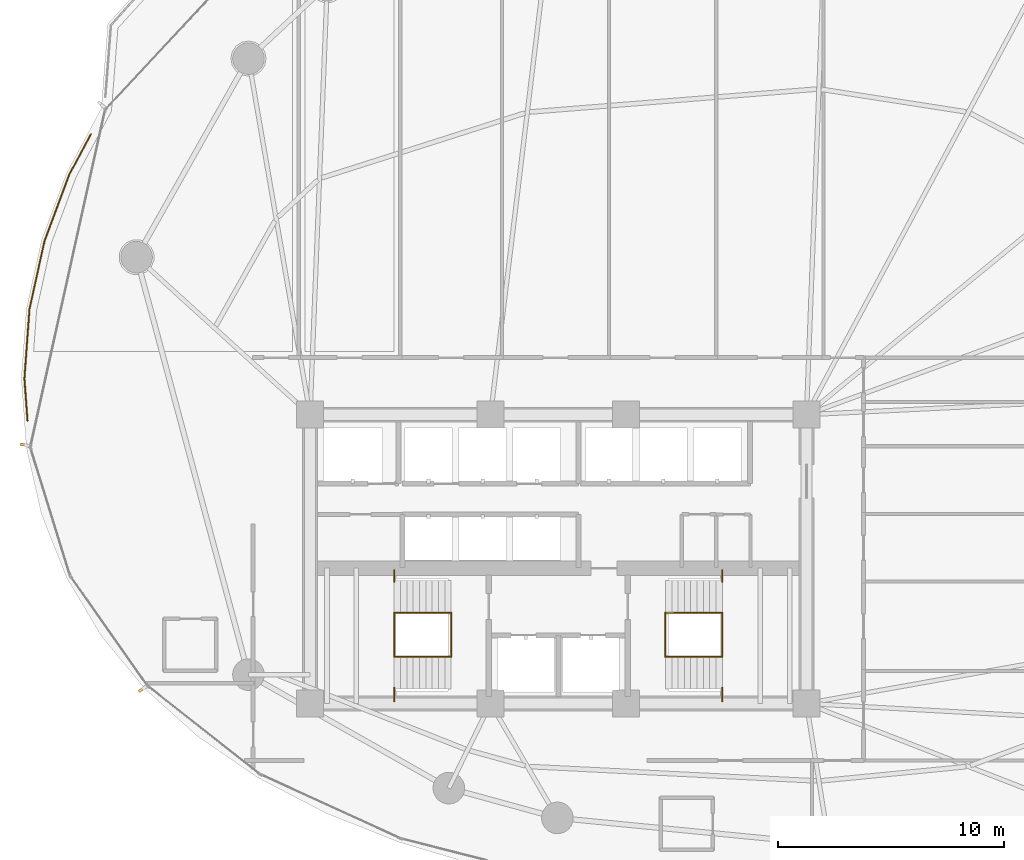
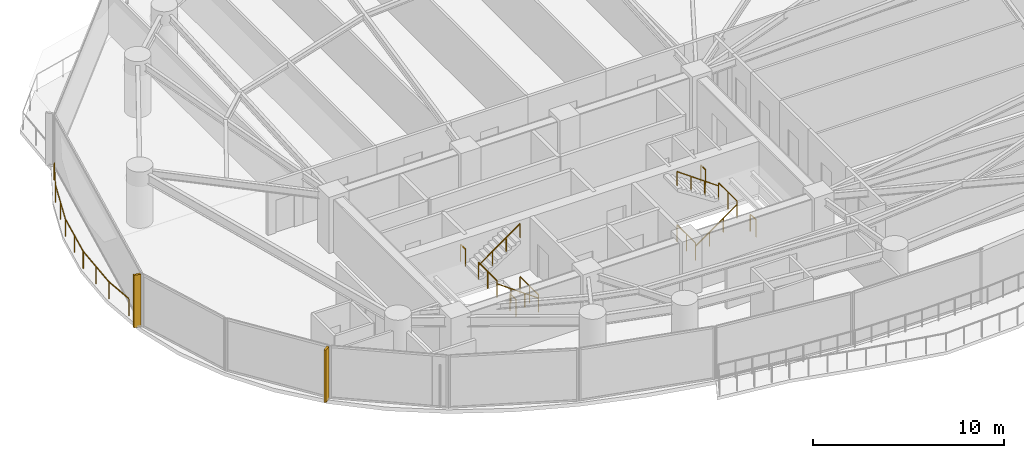
# One storey, part 30 of 33: 13 railings, 2 shading devices.
"""IFC4 building model written with IfcOpenShell, lengths in metres."""

from ifc_helpers import new_model, si_unit, direction, frame, origin, origin_2d, place, context, subcontext, project, spatial, rectangle, extrude, material, type_object, element, save


model = new_model("IFC4")

# Units and contexts
model_context = context("Model", 3, precision=1e-05, world=origin(), true_north=direction((0.0, 1.0)))
body_context = subcontext(model_context, "Body", "Model", "MODEL_VIEW")
ifc_project = project(units=[si_unit("LENGTHUNIT", "METRE"), si_unit("AREAUNIT", "SQUARE_METRE"), si_unit("VOLUMEUNIT", "CUBIC_METRE"), si_unit("PLANEANGLEUNIT", "RADIAN"), si_unit("MASSUNIT", "GRAM", prefix="KILO")], contexts=[model_context])

# Site, building, storey
site_placement = place(None, origin())
site = spatial("IfcSite", under=ifc_project, at=site_placement, CompositionType="ELEMENT")
building_placement = place(site_placement, origin())
building = spatial("IfcBuilding", under=site, at=building_placement, Name="Kazevale Care Tower and Concert Hall", CompositionType="ELEMENT")
storey_placement = place(building_placement, frame((0.0, 0.0, 52.800048828125)))
storey = spatial("IfcBuildingStorey", under=building, at=storey_placement, Name="L13", CompositionType="ELEMENT", Elevation=52.800048828125)

# Railings
ifc_material_1 = material(Name="Anodised Bronze Aluminium and Laminated Glass", Category="aluminium")
railing_type_1 = type_object("IfcRailingType", Name="Balcony and Terrace Balustrade 1120", PredefinedType="BALUSTRADE", material=ifc_material_1)
railing_1_placement = place(storey_placement, frame((9.47705078125, 36.139892578125, 0.0)))
element("IfcRailing", 1, at=railing_1_placement, inside=storey, type_object=railing_type_1, Name="rail:L13:perim:1", PredefinedType="BALUSTRADE", context=body_context, shape_type="SweptSolid", body=[
    extrude(rectangle(XDim=0.048095703125, YDim=0.048095703125, at=origin_2d()), frame((0.0, 0.0, 1.09619140625), z_axis=(-0.073432916276, 0.997300158832, 0.0), x_axis=(-0.997300158832, -0.073432916276, 0.0)), (0.0, 0.0, 1.0), 1.865234375),
    extrude(rectangle(XDim=0.048095703125, YDim=0.048095703125, at=origin_2d()), frame((-0.136962890625, 1.860107421875, 1.09619140625), z_axis=(0.072729345696, 0.997351714429, 0.0), x_axis=(-0.997351714429, 0.072729345696, 0.0)), (0.0, 0.0, 1.0), 3.078125),
    extrude(rectangle(XDim=0.048095703125, YDim=0.048095703125, at=origin_2d()), frame((0.0869140625, 4.93017578125, 1.09619140625), z_axis=(0.215148295556, 0.976581389808, 0.0), x_axis=(-0.976581389808, 0.215148295556, 0.0)), (0.0, 0.0, 1.0), 3.104736328125),
    extrude(rectangle(XDim=0.048095703125, YDim=0.048095703125, at=origin_2d()), frame((0.7548828125, 7.962158203125, 1.09619140625), z_axis=(0.350139798457, 0.936697454644, 0.0), x_axis=(-0.936697454644, 0.350139798457, 0.0)), (0.0, 0.0, 1.0), 3.15576171875),
    extrude(rectangle(XDim=0.048095703125, YDim=0.048095703125, at=origin_2d()), frame((1.85986328125, 10.918212890625, 1.09619140625), z_axis=(0.473074439741, 0.881022459682, 0.0), x_axis=(-0.881022459682, 0.473074439741, 0.0)), (0.0, 0.0, 1.0), 2.016845703125),
    extrude(rectangle(XDim=0.0419921875, YDim=0.0419921875, at=origin_2d()), origin(), (0.0, 0.0, 1.0), 1.072021484375),
    extrude(rectangle(XDim=0.0419921875, YDim=0.0419921875, at=origin_2d()), frame((-0.136962890625, 1.860107421875, 0.0)), (0.0, 0.0, 1.0), 1.072021484375),
    extrude(rectangle(XDim=0.0419921875, YDim=0.0419921875, at=origin_2d()), frame((-0.02490234375, 3.39501953125, 0.0)), (0.0, 0.0, 1.0), 1.072021484375),
    extrude(rectangle(XDim=0.0419921875, YDim=0.0419921875, at=origin_2d()), frame((0.0869140625, 4.93017578125, 0.0)), (0.0, 0.0, 1.0), 1.072021484375),
    extrude(rectangle(XDim=0.0419921875, YDim=0.0419921875, at=origin_2d()), frame((0.4208984375, 6.4462890625, 0.0)), (0.0, 0.0, 1.0), 1.072021484375),
    extrude(rectangle(XDim=0.0419921875, YDim=0.0419921875, at=origin_2d()), frame((0.7548828125, 7.962158203125, 0.0)), (0.0, 0.0, 1.0), 1.072021484375),
    extrude(rectangle(XDim=0.0419921875, YDim=0.0419921875, at=origin_2d()), frame((1.307373046875, 9.440185546875, 0.0)), (0.0, 0.0, 1.0), 1.072021484375),
    extrude(rectangle(XDim=0.0419921875, YDim=0.0419921875, at=origin_2d()), frame((1.85986328125, 10.918212890625, 0.0)), (0.0, 0.0, 1.0), 1.072021484375),
    extrude(rectangle(XDim=0.0419921875, YDim=0.0419921875, at=origin_2d()), frame((2.81396484375, 12.695068359375, 0.0)), (0.0, 0.0, 1.0), 1.072021484375),
])
ifc_material_2 = material(Name="Stainless Steel 316", Category="steel")
railing_type_2 = type_object("IfcRailingType", Name="Stair Pitch Handrail 920", PredefinedType="HANDRAIL", material=ifc_material_2)
railing_2_placement = place(storey_placement, frame((28.25, 25.679931640625, 0.0)))
element("IfcRailing", 2, at=railing_2_placement, inside=storey, type_object=railing_type_2, Name="stair:L13:ST1:hr1", PredefinedType="HANDRAIL", context=body_context, shape_type="SweptSolid", body=[
    extrude(rectangle(XDim=0.048095703125, YDim=0.048095703125, at=origin_2d()), frame((0.0, 0.0, 0.89599609375), z_axis=(-0.813728144527, 0.0, 0.581245650998), x_axis=(0.0, -1.0, 0.0)), (0.0, 0.0, 1.0), 3.096923828125),
    extrude(rectangle(XDim=0.0419921875, YDim=0.0419921875, at=origin_2d()), origin(), (0.0, 0.0, 1.0), 0.871826171875),
    extrude(rectangle(XDim=0.0419921875, YDim=0.0419921875, at=origin_2d()), frame((-0.840087890625, 0.0, 0.60009765625)), (0.0, 0.0, 1.0), 0.871826171875),
    extrude(rectangle(XDim=0.0419921875, YDim=0.0419921875, at=origin_2d()), frame((-1.679931640625, 0.0, 1.199951171875)), (0.0, 0.0, 1.0), 0.871826171875),
    extrude(rectangle(XDim=0.0419921875, YDim=0.0419921875, at=origin_2d()), frame((-2.52001953125, 0.0, 1.800048828125)), (0.0, 0.0, 1.0), 0.871826171875),
])
railing_3_placement = place(storey_placement, frame((25.72998046875, 27.6201171875, 1.800048828125)))
element("IfcRailing", 3, at=railing_3_placement, inside=storey, type_object=railing_type_2, Name="stair:L13:ST1:hr2", PredefinedType="HANDRAIL", context=body_context, shape_type="SweptSolid", body=[
    extrude(rectangle(XDim=0.048095703125, YDim=0.048095703125, at=origin_2d()), frame((0.0, 0.0, 0.89599609375), z_axis=(0.813765431312, 0.0, 0.581193446971), x_axis=(0.0, 1.0, 0.0)), (0.0, 0.0, 1.0), 3.0966796875),
    extrude(rectangle(XDim=0.0419921875, YDim=0.0419921875, at=origin_2d()), origin(), (0.0, 0.0, 1.0), 0.871826171875),
    extrude(rectangle(XDim=0.0419921875, YDim=0.0419921875, at=origin_2d()), frame((0.840087890625, 0.0, 0.599853515625)), (0.0, 0.0, 1.0), 0.871826171875),
    extrude(rectangle(XDim=0.0419921875, YDim=0.0419921875, at=origin_2d()), frame((1.679931640625, 0.0, 1.199951171875)), (0.0, 0.0, 1.0), 0.871826171875),
    extrude(rectangle(XDim=0.0419921875, YDim=0.0419921875, at=origin_2d()), frame((2.52001953125, 0.0, 1.7998046875)), (0.0, 0.0, 1.0), 0.871826171875),
])
railing_4_placement = place(storey_placement, frame((37.75, 25.679931640625, 0.0)))
element("IfcRailing", 4, at=railing_4_placement, inside=storey, type_object=railing_type_2, Name="stair:L13:ST2:hr1", PredefinedType="HANDRAIL", context=body_context, shape_type="SweptSolid", body=[
    extrude(rectangle(XDim=0.048095703125, YDim=0.048095703125, at=origin_2d()), frame((0.0, 0.0, 0.89599609375), z_axis=(0.813728144527, 0.0, 0.581245650998), x_axis=(0.0, 1.0, 0.0)), (0.0, 0.0, 1.0), 3.096923828125),
    extrude(rectangle(XDim=0.0419921875, YDim=0.0419921875, at=origin_2d()), origin(), (0.0, 0.0, 1.0), 0.871826171875),
    extrude(rectangle(XDim=0.0419921875, YDim=0.0419921875, at=origin_2d()), frame((0.840087890625, 0.0, 0.60009765625)), (0.0, 0.0, 1.0), 0.871826171875),
    extrude(rectangle(XDim=0.0419921875, YDim=0.0419921875, at=origin_2d()), frame((1.679931640625, 0.0, 1.199951171875)), (0.0, 0.0, 1.0), 0.871826171875),
    extrude(rectangle(XDim=0.0419921875, YDim=0.0419921875, at=origin_2d()), frame((2.52001953125, 0.0, 1.800048828125)), (0.0, 0.0, 1.0), 0.871826171875),
])
railing_5_placement = place(storey_placement, frame((40.27001953125, 27.6201171875, 1.800048828125)))
element("IfcRailing", 5, at=railing_5_placement, inside=storey, type_object=railing_type_2, Name="stair:L13:ST2:hr2", PredefinedType="HANDRAIL", context=body_context, shape_type="SweptSolid", body=[
    extrude(rectangle(XDim=0.048095703125, YDim=0.048095703125, at=origin_2d()), frame((0.0, 0.0, 0.89599609375), z_axis=(-0.813765431312, 0.0, 0.581193446971), x_axis=(0.0, -1.0, 0.0)), (0.0, 0.0, 1.0), 3.0966796875),
    extrude(rectangle(XDim=0.0419921875, YDim=0.0419921875, at=origin_2d()), origin(), (0.0, 0.0, 1.0), 0.871826171875),
    extrude(rectangle(XDim=0.0419921875, YDim=0.0419921875, at=origin_2d()), frame((-0.840087890625, 0.0, 0.599853515625)), (0.0, 0.0, 1.0), 0.871826171875),
    extrude(rectangle(XDim=0.0419921875, YDim=0.0419921875, at=origin_2d()), frame((-1.679931640625, 0.0, 1.199951171875)), (0.0, 0.0, 1.0), 0.871826171875),
    extrude(rectangle(XDim=0.0419921875, YDim=0.0419921875, at=origin_2d()), frame((-2.52001953125, 0.0, 1.7998046875)), (0.0, 0.0, 1.0), 0.871826171875),
])
railing_type_3 = type_object("IfcRailingType", Name="Stair Well Guard Balustrade 1120", PredefinedType="BALUSTRADE", material=ifc_material_2)
railing_6_placement = place(storey_placement, frame((25.72998046875, 23.699951171875, 1.800048828125)))
element("IfcRailing", 6, at=railing_6_placement, inside=storey, type_object=railing_type_3, Name="stair:L13:ST1:grd_side1", PredefinedType="BALUSTRADE", context=body_context, shape_type="SweptSolid", body=[
    extrude(rectangle(XDim=0.048095703125, YDim=0.048095703125, at=origin_2d()), frame((0.0, 0.0, 1.09619140625), z_axis=(0.0, 1.0, 0.0), x_axis=(-1.0, 0.0, 0.0)), (0.0, 0.0, 1.0), 0.610107421875),
    extrude(rectangle(XDim=0.0419921875, YDim=0.0419921875, at=origin_2d()), origin(), (0.0, 0.0, 1.0), 1.072021484375),
    extrude(rectangle(XDim=0.0419921875, YDim=0.0419921875, at=origin_2d()), frame((0.0, 0.610107421875, 0.0)), (0.0, 0.0, 1.0), 1.072021484375),
])
railing_7_placement = place(storey_placement, frame((25.72998046875, 28.989990234375, 1.800048828125)))
element("IfcRailing", 7, at=railing_7_placement, inside=storey, type_object=railing_type_3, Name="stair:L13:ST1:grd_side2", PredefinedType="BALUSTRADE", context=body_context, shape_type="SweptSolid", body=[
    extrude(rectangle(XDim=0.048095703125, YDim=0.048095703125, at=origin_2d()), frame((0.0, 0.0, 1.09619140625), z_axis=(0.0, 1.0, 0.0), x_axis=(-1.0, 0.0, 0.0)), (0.0, 0.0, 1.0), 0.510009765625),
    extrude(rectangle(XDim=0.0419921875, YDim=0.0419921875, at=origin_2d()), origin(), (0.0, 0.0, 1.0), 1.072021484375),
    extrude(rectangle(XDim=0.0419921875, YDim=0.0419921875, at=origin_2d()), frame((0.0, 0.510009765625, 0.0)), (0.0, 0.0, 1.0), 1.072021484375),
])
for number, where, name in (
    (8, (25.72998046875, 25.679931640625, 1.800048828125), "stair:L13:ST1:grd_mid"),
    (9, (28.25, 25.679931640625, 0.0), "stair:L13:ST1:grd_flr"),
):
    element("IfcRailing", number, at=place(storey_placement, frame(where)), inside=storey, type_object=railing_type_3, Name=name, PredefinedType="BALUSTRADE", context=body_context, shape_type="SweptSolid", body=[
        extrude(rectangle(XDim=0.048095703125, YDim=0.048095703125, at=origin_2d()), frame((0.0, 0.0, 1.09619140625), z_axis=(0.0, 1.0, 0.0), x_axis=(-1.0, 0.0, 0.0)), (0.0, 0.0, 1.0), 1.940185546875),
        extrude(rectangle(XDim=0.0419921875, YDim=0.0419921875, at=origin_2d()), origin(), (0.0, 0.0, 1.0), 1.072021484375),
        extrude(rectangle(XDim=0.0419921875, YDim=0.0419921875, at=origin_2d()), frame((0.0, 0.97021484375, 0.0)), (0.0, 0.0, 1.0), 1.072021484375),
        extrude(rectangle(XDim=0.0419921875, YDim=0.0419921875, at=origin_2d()), frame((0.0, 1.940185546875, 0.0)), (0.0, 0.0, 1.0), 1.072021484375),
    ])
railing_8_placement = place(storey_placement, frame((40.27001953125, 23.699951171875, 1.800048828125)))
element("IfcRailing", 10, at=railing_8_placement, inside=storey, type_object=railing_type_3, Name="stair:L13:ST2:grd_side1", PredefinedType="BALUSTRADE", context=body_context, shape_type="SweptSolid", body=[
    extrude(rectangle(XDim=0.048095703125, YDim=0.048095703125, at=origin_2d()), frame((0.0, 0.0, 1.09619140625), z_axis=(0.0, 1.0, 0.0), x_axis=(-1.0, 0.0, 0.0)), (0.0, 0.0, 1.0), 0.610107421875),
    extrude(rectangle(XDim=0.0419921875, YDim=0.0419921875, at=origin_2d()), origin(), (0.0, 0.0, 1.0), 1.072021484375),
    extrude(rectangle(XDim=0.0419921875, YDim=0.0419921875, at=origin_2d()), frame((0.0, 0.610107421875, 0.0)), (0.0, 0.0, 1.0), 1.072021484375),
])
railing_9_placement = place(storey_placement, frame((40.27001953125, 28.989990234375, 1.800048828125)))
element("IfcRailing", 11, at=railing_9_placement, inside=storey, type_object=railing_type_3, Name="stair:L13:ST2:grd_side2", PredefinedType="BALUSTRADE", context=body_context, shape_type="SweptSolid", body=[
    extrude(rectangle(XDim=0.048095703125, YDim=0.048095703125, at=origin_2d()), frame((0.0, 0.0, 1.09619140625), z_axis=(0.0, 1.0, 0.0), x_axis=(-1.0, 0.0, 0.0)), (0.0, 0.0, 1.0), 0.510009765625),
    extrude(rectangle(XDim=0.0419921875, YDim=0.0419921875, at=origin_2d()), origin(), (0.0, 0.0, 1.0), 1.072021484375),
    extrude(rectangle(XDim=0.0419921875, YDim=0.0419921875, at=origin_2d()), frame((0.0, 0.510009765625, 0.0)), (0.0, 0.0, 1.0), 1.072021484375),
])
for number, where, name in (
    (12, (40.27001953125, 25.679931640625, 1.800048828125), "stair:L13:ST2:grd_mid"),
    (13, (37.75, 25.679931640625, 0.0), "stair:L13:ST2:grd_flr"),
):
    element("IfcRailing", number, at=place(storey_placement, frame(where)), inside=storey, type_object=railing_type_3, Name=name, PredefinedType="BALUSTRADE", context=body_context, shape_type="SweptSolid", body=[
        extrude(rectangle(XDim=0.048095703125, YDim=0.048095703125, at=origin_2d()), frame((0.0, 0.0, 1.09619140625), z_axis=(0.0, 1.0, 0.0), x_axis=(-1.0, 0.0, 0.0)), (0.0, 0.0, 1.0), 1.940185546875),
        extrude(rectangle(XDim=0.0419921875, YDim=0.0419921875, at=origin_2d()), origin(), (0.0, 0.0, 1.0), 1.072021484375),
        extrude(rectangle(XDim=0.0419921875, YDim=0.0419921875, at=origin_2d()), frame((0.0, 0.97021484375, 0.0)), (0.0, 0.0, 1.0), 1.072021484375),
        extrude(rectangle(XDim=0.0419921875, YDim=0.0419921875, at=origin_2d()), frame((0.0, 1.940185546875, 0.0)), (0.0, 0.0, 1.0), 1.072021484375),
    ])

# Shading devices
ifc_material_3 = material(Name="Honed Ochre Limestone", Category="masonry")
shading_device_type = type_object("IfcShadingDeviceType", Name="Vertical Honed Limestone Fin FIN-01", PredefinedType="USERDEFINED", material=ifc_material_3)
for number, where, z_axis, x_axis, name in (
    (14, (14.5693359375, 24.23779296875, 0.0), (0.0, 0.0, 1.0), (-0.817547124842, -0.575861700985, 0.0), "cw:L13:f11:fin"),
    (15, (9.34326171875, 35.056884765625, 0.0), (0.0, 0.0, 1.0), (-0.97629600712, 0.216439613938, 0.0), "cw:L13:f13:fin"),
):
    element("IfcShadingDevice", number, at=place(storey_placement, frame(where, z_axis=z_axis, x_axis=x_axis)), inside=storey, type_object=shading_device_type, Name=name, ObjectType="FIN", PredefinedType="USERDEFINED", context=body_context, shape_type="SweptSolid", body=[
        extrude(rectangle(XDim=0.3798828125, YDim=0.1201171875, at=origin_2d()), origin(), (0.0, 0.0, 1.0), 3.360107421875),
    ])

save(model, "model.ifc")
